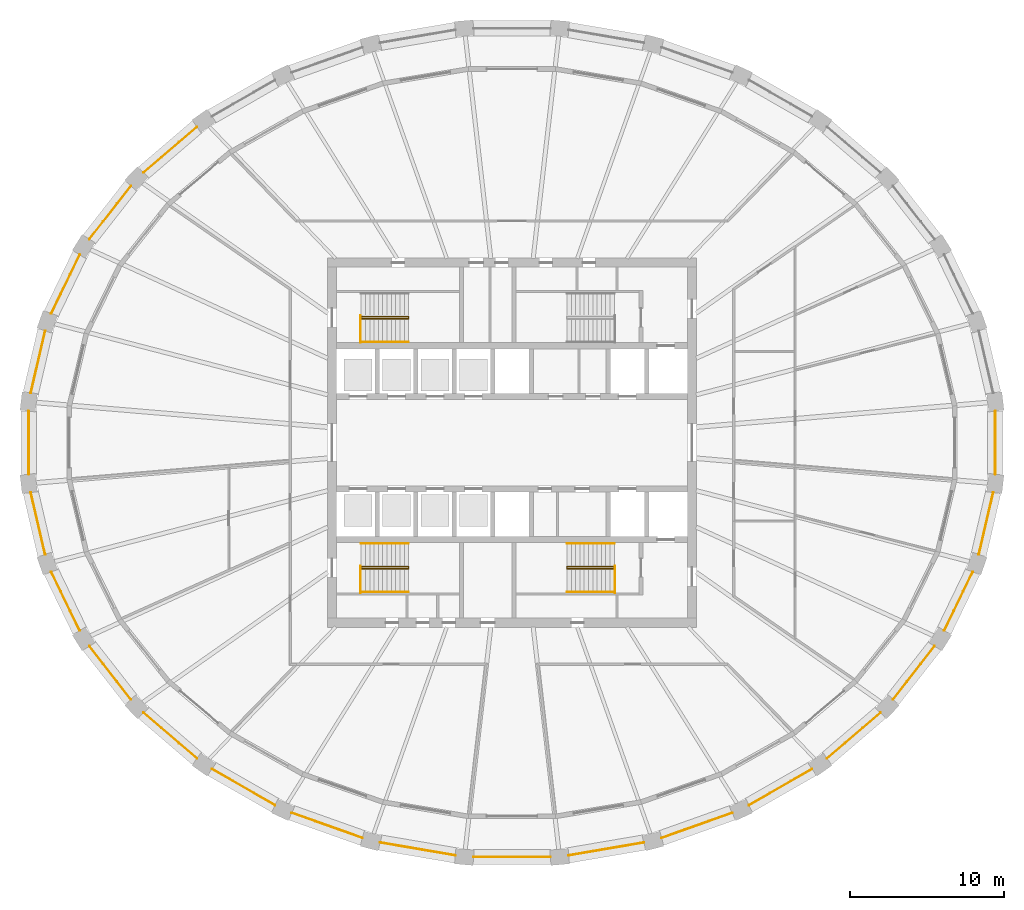
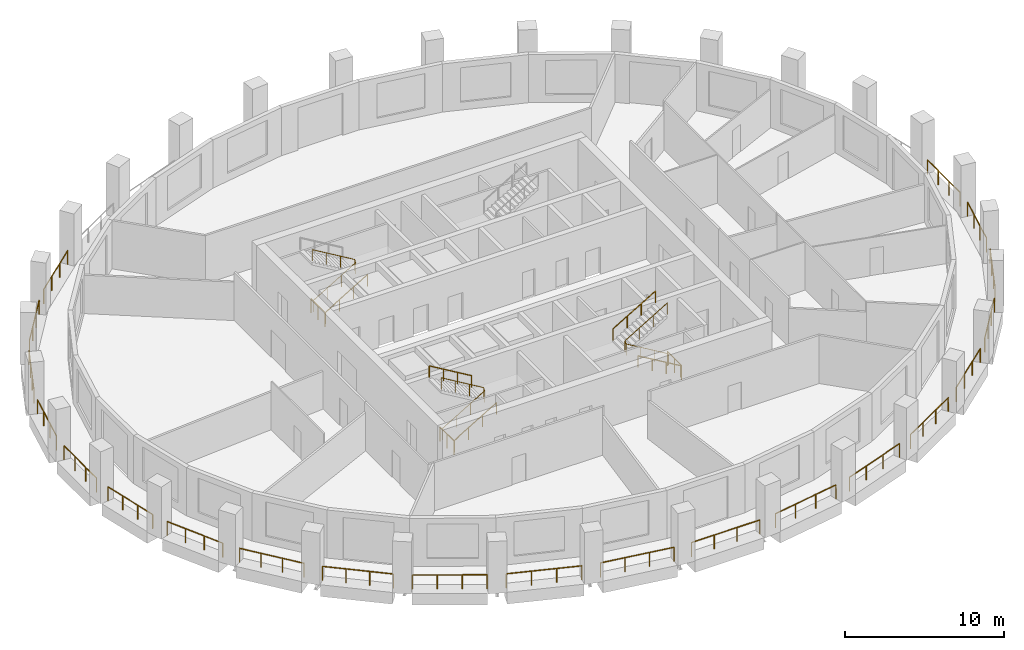
# One storey, part 9 of 11: 32 railings.
"""IFC4 building model written with IfcOpenShell, lengths in metres."""

from ifc_helpers import new_model, si_unit, direction, frame, origin, origin_2d, place, context, subcontext, project, spatial, circle, extrude, material, type_object, element, save


model = new_model("IFC4")

# Units and contexts
model_context = context("Model", 3, precision=1e-05, world=origin(), true_north=direction((0.0, 1.0)))
body_context = subcontext(model_context, "Body", "Model", "MODEL_VIEW")
ifc_project = project(units=[si_unit("LENGTHUNIT", "METRE"), si_unit("AREAUNIT", "SQUARE_METRE"), si_unit("VOLUMEUNIT", "CUBIC_METRE"), si_unit("PLANEANGLEUNIT", "RADIAN"), si_unit("MASSUNIT", "GRAM", prefix="KILO")], contexts=[model_context])

# Site, building, storey
site_placement = place(None, origin())
site = spatial("IfcSite", under=ifc_project, at=site_placement, CompositionType="ELEMENT")
building_placement = place(site_placement, origin())
building = spatial("IfcBuilding", under=site, at=building_placement, Name="Halqa Exchange Tower", CompositionType="ELEMENT")
storey_placement = place(building_placement, frame((0.0, 0.0, 226.89990234375)))
storey = spatial("IfcBuildingStorey", under=building, at=storey_placement, Name="L52", CompositionType="ELEMENT", Elevation=226.89990234375)

# Railings
ifc_material = material(Name="Stainless steel", Category="steel")
railing_type_1 = type_object("IfcRailingType", Name="Guard 1100 stainless steel", PredefinedType="GUARDRAIL", material=ifc_material)
railing_1_placement = place(storey_placement, frame((-20.472412109375, 20.515625, 0.0)))
element("IfcRailing", 1, at=railing_1_placement, inside=storey, type_object=railing_type_1, Name="Loggia guard 12", PredefinedType="GUARDRAIL", context=body_context, shape_type="SweptSolid", body=[
    extrude(circle(Radius=0.02392578125, at=origin_2d()), frame((0.0, 0.0, 1.076171875), z_axis=(-0.759230149262, -0.65082223414, 0.0), x_axis=(0.65082223414, -0.759230149262, 0.0)), (0.0, 0.0, 1.0), 4.560302734375),
    extrude(circle(Radius=0.02099609375, at=origin_2d()), origin(), (0.0, 0.0, 1.0), 1.052001953125),
    extrude(circle(Radius=0.02099609375, at=origin_2d()), frame((-1.154052734375, -0.9892578125, 0.0)), (0.0, 0.0, 1.0), 1.052001953125),
    extrude(circle(Radius=0.02099609375, at=origin_2d()), frame((-2.308349609375, -1.978759765625, 0.0)), (0.0, 0.0, 1.0), 1.052001953125),
    extrude(circle(Radius=0.02099609375, at=origin_2d()), frame((-3.46240234375, -2.968017578125, 0.0)), (0.0, 0.0, 1.0), 1.052001953125),
])
railing_2_placement = place(storey_placement, frame((-24.759521484375, 16.68408203125, 0.0)))
element("IfcRailing", 2, at=railing_2_placement, inside=storey, type_object=railing_type_1, Name="Loggia guard 13", PredefinedType="GUARDRAIL", context=body_context, shape_type="SweptSolid", body=[
    extrude(circle(Radius=0.02392578125, at=origin_2d()), frame((0.0, 0.0, 1.076171875), z_axis=(-0.614775863942, -0.788701868334, 0.0), x_axis=(0.788701868334, -0.614775863942, 0.0)), (0.0, 0.0, 1.0), 4.389404296875),
    extrude(circle(Radius=0.02099609375, at=origin_2d()), origin(), (0.0, 0.0, 1.0), 1.052001953125),
    extrude(circle(Radius=0.02099609375, at=origin_2d()), frame((-0.8994140625, -1.154052734375, 0.0)), (0.0, 0.0, 1.0), 1.052001953125),
    extrude(circle(Radius=0.02099609375, at=origin_2d()), frame((-1.799072265625, -2.307861328125, 0.0)), (0.0, 0.0, 1.0), 1.052001953125),
    extrude(circle(Radius=0.02099609375, at=origin_2d()), frame((-2.698486328125, -3.4619140625, 0.0)), (0.0, 0.0, 1.0), 1.052001953125),
])
railing_3_placement = place(storey_placement, frame((-28.087890625, 12.208740234375, 0.0)))
element("IfcRailing", 3, at=railing_3_placement, inside=storey, type_object=railing_type_1, Name="Loggia guard 14", PredefinedType="GUARDRAIL", context=body_context, shape_type="SweptSolid", body=[
    extrude(circle(Radius=0.02392578125, at=origin_2d()), frame((0.0, 0.0, 1.076171875), z_axis=(-0.435127430079, -0.900368879734, 0.0), x_axis=(0.900368879734, -0.435127430079, 0.0)), (0.0, 0.0, 1.0), 4.239990234375),
    extrude(circle(Radius=0.02099609375, at=origin_2d()), origin(), (0.0, 0.0, 1.0), 1.052001953125),
    extrude(circle(Radius=0.02099609375, at=origin_2d()), frame((-0.614990234375, -1.2724609375, 0.0)), (0.0, 0.0, 1.0), 1.052001953125),
    extrude(circle(Radius=0.02099609375, at=origin_2d()), frame((-1.22998046875, -2.545166015625, 0.0)), (0.0, 0.0, 1.0), 1.052001953125),
    extrude(circle(Radius=0.02099609375, at=origin_2d()), frame((-1.844970703125, -3.817626953125, 0.0)), (0.0, 0.0, 1.0), 1.052001953125),
])
railing_4_placement = place(storey_placement, frame((-30.32958984375, 7.266357421875, 0.0)))
element("IfcRailing", 4, at=railing_4_placement, inside=storey, type_object=railing_type_1, Name="Loggia guard 15", PredefinedType="GUARDRAIL", context=body_context, shape_type="SweptSolid", body=[
    extrude(circle(Radius=0.02392578125, at=origin_2d()), frame((0.0, 0.0, 1.076171875), z_axis=(-0.226078724413, -0.974109034127, 0.0), x_axis=(0.974109034127, -0.226078724413, 0.0)), (0.0, 0.0, 1.0), 4.13818359375),
    extrude(circle(Radius=0.02099609375, at=origin_2d()), origin(), (0.0, 0.0, 1.0), 1.052001953125),
    extrude(circle(Radius=0.02099609375, at=origin_2d()), frame((-0.311767578125, -1.34375, 0.0)), (0.0, 0.0, 1.0), 1.052001953125),
    extrude(circle(Radius=0.02099609375, at=origin_2d()), frame((-0.623779296875, -2.687255859375, 0.0)), (0.0, 0.0, 1.0), 1.052001953125),
    extrude(circle(Radius=0.02099609375, at=origin_2d()), frame((-0.935546875, -4.031005859375, 0.0)), (0.0, 0.0, 1.0), 1.052001953125),
])
railing_5_placement = place(storey_placement, frame((-31.400634765625, 2.05078125, 0.0)))
element("IfcRailing", 5, at=railing_5_placement, inside=storey, type_object=railing_type_1, Name="Loggia guard 16", PredefinedType="GUARDRAIL", context=body_context, shape_type="SweptSolid", body=[
    extrude(circle(Radius=0.02392578125, at=origin_2d()), frame((0.0, 0.0, 1.076171875), z_axis=(0.0, -1.0, 0.0), x_axis=(1.0, 0.0, 0.0)), (0.0, 0.0, 1.0), 4.1015625),
    extrude(circle(Radius=0.02099609375, at=origin_2d()), origin(), (0.0, 0.0, 1.0), 1.052001953125),
    extrude(circle(Radius=0.02099609375, at=origin_2d()), frame((0.0, -1.3671875, 0.0)), (0.0, 0.0, 1.0), 1.052001953125),
    extrude(circle(Radius=0.02099609375, at=origin_2d()), frame((0.0, -2.734375, 0.0)), (0.0, 0.0, 1.0), 1.052001953125),
    extrude(circle(Radius=0.02099609375, at=origin_2d()), frame((0.0, -4.1015625, 0.0)), (0.0, 0.0, 1.0), 1.052001953125),
])
railing_6_placement = place(storey_placement, frame((-31.26513671875, -3.2353515625, 0.0)))
element("IfcRailing", 6, at=railing_6_placement, inside=storey, type_object=railing_type_1, Name="Loggia guard 17", PredefinedType="GUARDRAIL", context=body_context, shape_type="SweptSolid", body=[
    extrude(circle(Radius=0.02392578125, at=origin_2d()), frame((0.0, 0.0, 1.076171875), z_axis=(0.226078724413, -0.974109034127, 0.0), x_axis=(0.974109034127, 0.226078724413, 0.0)), (0.0, 0.0, 1.0), 4.13818359375),
    extrude(circle(Radius=0.02099609375, at=origin_2d()), origin(), (0.0, 0.0, 1.0), 1.052001953125),
    extrude(circle(Radius=0.02099609375, at=origin_2d()), frame((0.311767578125, -1.34375, 0.0)), (0.0, 0.0, 1.0), 1.052001953125),
    extrude(circle(Radius=0.02099609375, at=origin_2d()), frame((0.623779296875, -2.687255859375, 0.0)), (0.0, 0.0, 1.0), 1.052001953125),
    extrude(circle(Radius=0.02099609375, at=origin_2d()), frame((0.935546875, -4.031005859375, 0.0)), (0.0, 0.0, 1.0), 1.052001953125),
])
railing_7_placement = place(storey_placement, frame((-29.932861328125, -8.39111328125, 0.0)))
element("IfcRailing", 7, at=railing_7_placement, inside=storey, type_object=railing_type_1, Name="Loggia guard 18", PredefinedType="GUARDRAIL", context=body_context, shape_type="SweptSolid", body=[
    extrude(circle(Radius=0.02392578125, at=origin_2d()), frame((0.0, 0.0, 1.076171875), z_axis=(0.435127430079, -0.900368879734, 0.0), x_axis=(0.900368879734, 0.435127430079, 0.0)), (0.0, 0.0, 1.0), 4.239990234375),
    extrude(circle(Radius=0.02099609375, at=origin_2d()), origin(), (0.0, 0.0, 1.0), 1.052001953125),
    extrude(circle(Radius=0.02099609375, at=origin_2d()), frame((0.614990234375, -1.2724609375, 0.0)), (0.0, 0.0, 1.0), 1.052001953125),
    extrude(circle(Radius=0.02099609375, at=origin_2d()), frame((1.22998046875, -2.545166015625, 0.0)), (0.0, 0.0, 1.0), 1.052001953125),
    extrude(circle(Radius=0.02099609375, at=origin_2d()), frame((1.844970703125, -3.817626953125, 0.0)), (0.0, 0.0, 1.0), 1.052001953125),
])
railing_8_placement = place(storey_placement, frame((-27.4580078125, -13.22216796875, 0.0)))
element("IfcRailing", 8, at=railing_8_placement, inside=storey, type_object=railing_type_1, Name="Loggia guard 19", PredefinedType="GUARDRAIL", context=body_context, shape_type="SweptSolid", body=[
    extrude(circle(Radius=0.02392578125, at=origin_2d()), frame((0.0, 0.0, 1.076171875), z_axis=(0.614775863942, -0.788701868334, 0.0), x_axis=(0.788701868334, 0.614775863942, 0.0)), (0.0, 0.0, 1.0), 4.389404296875),
    extrude(circle(Radius=0.02099609375, at=origin_2d()), origin(), (0.0, 0.0, 1.0), 1.052001953125),
    extrude(circle(Radius=0.02099609375, at=origin_2d()), frame((0.8994140625, -1.154052734375, 0.0)), (0.0, 0.0, 1.0), 1.052001953125),
    extrude(circle(Radius=0.02099609375, at=origin_2d()), frame((1.799072265625, -2.307861328125, 0.0)), (0.0, 0.0, 1.0), 1.052001953125),
    extrude(circle(Radius=0.02099609375, at=origin_2d()), frame((2.698486328125, -3.4619140625, 0.0)), (0.0, 0.0, 1.0), 1.052001953125),
])
railing_9_placement = place(storey_placement, frame((-23.934814453125, -17.547607421875, 0.0)))
element("IfcRailing", 9, at=railing_9_placement, inside=storey, type_object=railing_type_1, Name="Loggia guard 20", PredefinedType="GUARDRAIL", context=body_context, shape_type="SweptSolid", body=[
    extrude(circle(Radius=0.02392578125, at=origin_2d()), frame((0.0, 0.0, 1.076171875), z_axis=(0.759230149262, -0.65082223414, 0.0), x_axis=(0.65082223414, 0.759230149262, 0.0)), (0.0, 0.0, 1.0), 4.560302734375),
    extrude(circle(Radius=0.02099609375, at=origin_2d()), origin(), (0.0, 0.0, 1.0), 1.052001953125),
    extrude(circle(Radius=0.02099609375, at=origin_2d()), frame((1.154052734375, -0.9892578125, 0.0)), (0.0, 0.0, 1.0), 1.052001953125),
    extrude(circle(Radius=0.02099609375, at=origin_2d()), frame((2.308349609375, -1.978759765625, 0.0)), (0.0, 0.0, 1.0), 1.052001953125),
    extrude(circle(Radius=0.02099609375, at=origin_2d()), frame((3.46240234375, -2.968017578125, 0.0)), (0.0, 0.0, 1.0), 1.052001953125),
])
railing_10_placement = place(storey_placement, frame((-19.49609375, -21.204345703125, 0.0)))
element("IfcRailing", 10, at=railing_10_placement, inside=storey, type_object=railing_type_1, Name="Loggia guard 21", PredefinedType="GUARDRAIL", context=body_context, shape_type="SweptSolid", body=[
    extrude(circle(Radius=0.02392578125, at=origin_2d()), frame((0.0, 0.0, 1.076171875), z_axis=(0.867753217725, -0.496995325057, 0.0), x_axis=(0.496995325057, 0.867753217725, 0.0)), (0.0, 0.0, 1.0), 4.7265625),
    extrude(circle(Radius=0.02099609375, at=origin_2d()), origin(), (0.0, 0.0, 1.0), 1.052001953125),
    extrude(circle(Radius=0.02099609375, at=origin_2d()), frame((1.3671875, -0.782958984375, 0.0)), (0.0, 0.0, 1.0), 1.052001953125),
    extrude(circle(Radius=0.02099609375, at=origin_2d()), frame((2.734375, -1.566162109375, 0.0)), (0.0, 0.0, 1.0), 1.052001953125),
    extrude(circle(Radius=0.02099609375, at=origin_2d()), frame((4.1015625, -2.34912109375, 0.0)), (0.0, 0.0, 1.0), 1.052001953125),
])
railing_11_placement = place(storey_placement, frame((-14.308349609375, -24.05224609375, 0.0)))
element("IfcRailing", 11, at=railing_11_placement, inside=storey, type_object=railing_type_1, Name="Loggia guard 22", PredefinedType="GUARDRAIL", context=body_context, shape_type="SweptSolid", body=[
    extrude(circle(Radius=0.02392578125, at=origin_2d()), frame((0.0, 0.0, 1.076171875), z_axis=(0.94236598603, -0.334583843562, 0.0), x_axis=(0.334583843562, 0.94236598603, 0.0)), (0.0, 0.0, 1.0), 4.864013671875),
    extrude(circle(Radius=0.02099609375, at=origin_2d()), origin(), (0.0, 0.0, 1.0), 1.052001953125),
    extrude(circle(Radius=0.02099609375, at=origin_2d()), frame((1.52783203125, -0.54248046875, 0.0)), (0.0, 0.0, 1.0), 1.052001953125),
    extrude(circle(Radius=0.02099609375, at=origin_2d()), frame((3.055908203125, -1.0849609375, 0.0)), (0.0, 0.0, 1.0), 1.052001953125),
    extrude(circle(Radius=0.02099609375, at=origin_2d()), frame((4.583740234375, -1.62744140625, 0.0)), (0.0, 0.0, 1.0), 1.052001953125),
])
railing_12_placement = place(storey_placement, frame((-8.567626953125, -25.9814453125, 0.0)))
element("IfcRailing", 12, at=railing_12_placement, inside=storey, type_object=railing_type_1, Name="Loggia guard 23", PredefinedType="GUARDRAIL", context=body_context, shape_type="SweptSolid", body=[
    extrude(circle(Radius=0.02392578125, at=origin_2d()), frame((0.0, 0.0, 1.076171875), z_axis=(0.985778469169, -0.16805002149, 0.0), x_axis=(0.16805002149, 0.985778469169, 0.0)), (0.0, 0.0, 1.0), 4.9541015625),
    extrude(circle(Radius=0.02099609375, at=origin_2d()), origin(), (0.0, 0.0, 1.0), 1.052001953125),
    extrude(circle(Radius=0.02099609375, at=origin_2d()), frame((1.6279296875, -0.277587890625, 0.0)), (0.0, 0.0, 1.0), 1.052001953125),
    extrude(circle(Radius=0.02099609375, at=origin_2d()), frame((3.255615234375, -0.554931640625, 0.0)), (0.0, 0.0, 1.0), 1.052001953125),
    extrude(circle(Radius=0.02099609375, at=origin_2d()), frame((4.883544921875, -0.83251953125, 0.0)), (0.0, 0.0, 1.0), 1.052001953125),
])
railing_13_placement = place(storey_placement, frame((-2.49267578125, -26.914794921875, 0.0)))
element("IfcRailing", 13, at=railing_13_placement, inside=storey, type_object=railing_type_1, Name="Loggia guard 24", PredefinedType="GUARDRAIL", context=body_context, shape_type="SweptSolid", body=[
    extrude(circle(Radius=0.02392578125, at=origin_2d()), frame((0.0, 0.0, 1.076171875), z_axis=(1.0, 0.0, 0.0), x_axis=(0.0, 1.0, 0.0)), (0.0, 0.0, 1.0), 4.9853515625),
    extrude(circle(Radius=0.02099609375, at=origin_2d()), origin(), (0.0, 0.0, 1.0), 1.052001953125),
    extrude(circle(Radius=0.02099609375, at=origin_2d()), frame((1.661865234375, 0.0, 0.0)), (0.0, 0.0, 1.0), 1.052001953125),
    extrude(circle(Radius=0.02099609375, at=origin_2d()), frame((3.323486328125, 0.0, 0.0)), (0.0, 0.0, 1.0), 1.052001953125),
    extrude(circle(Radius=0.02099609375, at=origin_2d()), frame((4.9853515625, 0.0, 0.0)), (0.0, 0.0, 1.0), 1.052001953125),
])
railing_14_placement = place(storey_placement, frame((3.68408203125, -26.81396484375, 0.0)))
element("IfcRailing", 14, at=railing_14_placement, inside=storey, type_object=railing_type_1, Name="Loggia guard 25", PredefinedType="GUARDRAIL", context=body_context, shape_type="SweptSolid", body=[
    extrude(circle(Radius=0.02392578125, at=origin_2d()), frame((0.0, 0.0, 1.076171875), z_axis=(0.985778469169, 0.16805002149, 0.0), x_axis=(-0.16805002149, 0.985778469169, 0.0)), (0.0, 0.0, 1.0), 4.9541015625),
    extrude(circle(Radius=0.02099609375, at=origin_2d()), origin(), (0.0, 0.0, 1.0), 1.052001953125),
    extrude(circle(Radius=0.02099609375, at=origin_2d()), frame((1.6279296875, 0.277587890625, 0.0)), (0.0, 0.0, 1.0), 1.052001953125),
    extrude(circle(Radius=0.02099609375, at=origin_2d()), frame((3.255615234375, 0.554931640625, 0.0)), (0.0, 0.0, 1.0), 1.052001953125),
    extrude(circle(Radius=0.02099609375, at=origin_2d()), frame((4.883544921875, 0.83251953125, 0.0)), (0.0, 0.0, 1.0), 1.052001953125),
])
railing_15_placement = place(storey_placement, frame((9.724609375, -25.6796875, 0.0)))
element("IfcRailing", 15, at=railing_15_placement, inside=storey, type_object=railing_type_1, Name="Loggia guard 26", PredefinedType="GUARDRAIL", context=body_context, shape_type="SweptSolid", body=[
    extrude(circle(Radius=0.02392578125, at=origin_2d()), frame((0.0, 0.0, 1.076171875), z_axis=(0.94236598603, 0.334583843562, 0.0), x_axis=(-0.334583843562, 0.94236598603, 0.0)), (0.0, 0.0, 1.0), 4.864013671875),
    extrude(circle(Radius=0.02099609375, at=origin_2d()), origin(), (0.0, 0.0, 1.0), 1.052001953125),
    extrude(circle(Radius=0.02099609375, at=origin_2d()), frame((1.52783203125, 0.54248046875, 0.0)), (0.0, 0.0, 1.0), 1.052001953125),
    extrude(circle(Radius=0.02099609375, at=origin_2d()), frame((3.055908203125, 1.0849609375, 0.0)), (0.0, 0.0, 1.0), 1.052001953125),
    extrude(circle(Radius=0.02099609375, at=origin_2d()), frame((4.583740234375, 1.62744140625, 0.0)), (0.0, 0.0, 1.0), 1.052001953125),
])
railing_16_placement = place(storey_placement, frame((15.39453125, -23.553466796875, 0.0)))
element("IfcRailing", 16, at=railing_16_placement, inside=storey, type_object=railing_type_1, Name="Loggia guard 27", PredefinedType="GUARDRAIL", context=body_context, shape_type="SweptSolid", body=[
    extrude(circle(Radius=0.02392578125, at=origin_2d()), frame((0.0, 0.0, 1.076171875), z_axis=(0.867753217725, 0.496995325057, 0.0), x_axis=(-0.496995325057, 0.867753217725, 0.0)), (0.0, 0.0, 1.0), 4.7265625),
    extrude(circle(Radius=0.02099609375, at=origin_2d()), origin(), (0.0, 0.0, 1.0), 1.052001953125),
    extrude(circle(Radius=0.02099609375, at=origin_2d()), frame((1.3671875, 0.782958984375, 0.0)), (0.0, 0.0, 1.0), 1.052001953125),
    extrude(circle(Radius=0.02099609375, at=origin_2d()), frame((2.734375, 1.566162109375, 0.0)), (0.0, 0.0, 1.0), 1.052001953125),
    extrude(circle(Radius=0.02099609375, at=origin_2d()), frame((4.1015625, 2.34912109375, 0.0)), (0.0, 0.0, 1.0), 1.052001953125),
])
railing_17_placement = place(storey_placement, frame((20.472412109375, -20.515625, 0.0)))
element("IfcRailing", 17, at=railing_17_placement, inside=storey, type_object=railing_type_1, Name="Loggia guard 28", PredefinedType="GUARDRAIL", context=body_context, shape_type="SweptSolid", body=[
    extrude(circle(Radius=0.02392578125, at=origin_2d()), frame((0.0, 0.0, 1.076171875), z_axis=(0.759230149262, 0.65082223414, 0.0), x_axis=(-0.65082223414, 0.759230149262, 0.0)), (0.0, 0.0, 1.0), 4.560302734375),
    extrude(circle(Radius=0.02099609375, at=origin_2d()), origin(), (0.0, 0.0, 1.0), 1.052001953125),
    extrude(circle(Radius=0.02099609375, at=origin_2d()), frame((1.154052734375, 0.9892578125, 0.0)), (0.0, 0.0, 1.0), 1.052001953125),
    extrude(circle(Radius=0.02099609375, at=origin_2d()), frame((2.308349609375, 1.978759765625, 0.0)), (0.0, 0.0, 1.0), 1.052001953125),
    extrude(circle(Radius=0.02099609375, at=origin_2d()), frame((3.46240234375, 2.968017578125, 0.0)), (0.0, 0.0, 1.0), 1.052001953125),
])
railing_18_placement = place(storey_placement, frame((24.759521484375, -16.68408203125, 0.0)))
element("IfcRailing", 18, at=railing_18_placement, inside=storey, type_object=railing_type_1, Name="Loggia guard 29", PredefinedType="GUARDRAIL", context=body_context, shape_type="SweptSolid", body=[
    extrude(circle(Radius=0.02392578125, at=origin_2d()), frame((0.0, 0.0, 1.076171875), z_axis=(0.614775863942, 0.788701868334, 0.0), x_axis=(-0.788701868334, 0.614775863942, 0.0)), (0.0, 0.0, 1.0), 4.389404296875),
    extrude(circle(Radius=0.02099609375, at=origin_2d()), origin(), (0.0, 0.0, 1.0), 1.052001953125),
    extrude(circle(Radius=0.02099609375, at=origin_2d()), frame((0.8994140625, 1.154052734375, 0.0)), (0.0, 0.0, 1.0), 1.052001953125),
    extrude(circle(Radius=0.02099609375, at=origin_2d()), frame((1.799072265625, 2.307861328125, 0.0)), (0.0, 0.0, 1.0), 1.052001953125),
    extrude(circle(Radius=0.02099609375, at=origin_2d()), frame((2.698486328125, 3.4619140625, 0.0)), (0.0, 0.0, 1.0), 1.052001953125),
])
railing_19_placement = place(storey_placement, frame((28.087890625, -12.208740234375, 0.0)))
element("IfcRailing", 19, at=railing_19_placement, inside=storey, type_object=railing_type_1, Name="Loggia guard 30", PredefinedType="GUARDRAIL", context=body_context, shape_type="SweptSolid", body=[
    extrude(circle(Radius=0.02392578125, at=origin_2d()), frame((0.0, 0.0, 1.076171875), z_axis=(0.435127430079, 0.900368879734, 0.0), x_axis=(-0.900368879734, 0.435127430079, 0.0)), (0.0, 0.0, 1.0), 4.239990234375),
    extrude(circle(Radius=0.02099609375, at=origin_2d()), origin(), (0.0, 0.0, 1.0), 1.052001953125),
    extrude(circle(Radius=0.02099609375, at=origin_2d()), frame((0.614990234375, 1.2724609375, 0.0)), (0.0, 0.0, 1.0), 1.052001953125),
    extrude(circle(Radius=0.02099609375, at=origin_2d()), frame((1.22998046875, 2.545166015625, 0.0)), (0.0, 0.0, 1.0), 1.052001953125),
    extrude(circle(Radius=0.02099609375, at=origin_2d()), frame((1.844970703125, 3.817626953125, 0.0)), (0.0, 0.0, 1.0), 1.052001953125),
])
railing_20_placement = place(storey_placement, frame((30.32958984375, -7.266357421875, 0.0)))
element("IfcRailing", 20, at=railing_20_placement, inside=storey, type_object=railing_type_1, Name="Loggia guard 31", PredefinedType="GUARDRAIL", context=body_context, shape_type="SweptSolid", body=[
    extrude(circle(Radius=0.02392578125, at=origin_2d()), frame((0.0, 0.0, 1.076171875), z_axis=(0.226078724413, 0.974109034127, 0.0), x_axis=(-0.974109034127, 0.226078724413, 0.0)), (0.0, 0.0, 1.0), 4.13818359375),
    extrude(circle(Radius=0.02099609375, at=origin_2d()), origin(), (0.0, 0.0, 1.0), 1.052001953125),
    extrude(circle(Radius=0.02099609375, at=origin_2d()), frame((0.311767578125, 1.34375, 0.0)), (0.0, 0.0, 1.0), 1.052001953125),
    extrude(circle(Radius=0.02099609375, at=origin_2d()), frame((0.623779296875, 2.687255859375, 0.0)), (0.0, 0.0, 1.0), 1.052001953125),
    extrude(circle(Radius=0.02099609375, at=origin_2d()), frame((0.935546875, 4.031005859375, 0.0)), (0.0, 0.0, 1.0), 1.052001953125),
])
railing_21_placement = place(storey_placement, frame((31.400634765625, -2.05078125, 0.0)))
element("IfcRailing", 21, at=railing_21_placement, inside=storey, type_object=railing_type_1, Name="Loggia guard 32", PredefinedType="GUARDRAIL", context=body_context, shape_type="SweptSolid", body=[
    extrude(circle(Radius=0.02392578125, at=origin_2d()), frame((0.0, 0.0, 1.076171875), z_axis=(0.0, 1.0, 0.0), x_axis=(-1.0, 0.0, 0.0)), (0.0, 0.0, 1.0), 4.1015625),
    extrude(circle(Radius=0.02099609375, at=origin_2d()), origin(), (0.0, 0.0, 1.0), 1.052001953125),
    extrude(circle(Radius=0.02099609375, at=origin_2d()), frame((0.0, 1.3671875, 0.0)), (0.0, 0.0, 1.0), 1.052001953125),
    extrude(circle(Radius=0.02099609375, at=origin_2d()), frame((0.0, 2.734375, 0.0)), (0.0, 0.0, 1.0), 1.052001953125),
    extrude(circle(Radius=0.02099609375, at=origin_2d()), frame((0.0, 4.1015625, 0.0)), (0.0, 0.0, 1.0), 1.052001953125),
])
railing_type_2 = type_object("IfcRailingType", Name="Stair handrail 900", PredefinedType="HANDRAIL", material=ifc_material)
railing_22_placement = place(storey_placement, frame((-9.800048828125, 8.06005859375, 0.166748046875)))
element("IfcRailing", 22, at=railing_22_placement, inside=storey, type_object=railing_type_2, Name="Handrail ST1.1", PredefinedType="HANDRAIL", context=body_context, shape_type="SweptSolid", body=[
    extrude(circle(Radius=0.02392578125, at=origin_2d()), frame((0.0, 0.0, 0.8759765625), z_axis=(0.859308565015, 0.0, 0.511457515432), x_axis=(0.0, 1.0, 0.0)), (0.0, 0.0, 1.0), 3.58447265625),
    extrude(circle(Radius=0.02392578125, at=origin_2d()), frame((3.080078125, 0.0, 2.708984375), z_axis=(0.0, 0.614500226555, 0.788916644243), x_axis=(-1.0, 0.0, 0.0)), (0.0, 0.0, 1.0), 0.21142578125),
    extrude(circle(Radius=0.02392578125, at=origin_2d()), frame((3.080078125, 0.1298828125, 2.8759765625), z_axis=(-0.859308565015, 0.0, 0.511457515432), x_axis=(0.0, -1.0, 0.0)), (0.0, 0.0, 1.0), 3.58447265625),
    extrude(circle(Radius=0.02099609375, at=origin_2d()), origin(), (0.0, 0.0, 1.0), 0.851806640625),
    extrude(circle(Radius=0.02099609375, at=origin_2d()), frame((1.026611328125, 0.0, 0.611083984375)), (0.0, 0.0, 1.0), 0.851806640625),
    extrude(circle(Radius=0.02099609375, at=origin_2d()), frame((2.053466796875, 0.0, 1.22216796875)), (0.0, 0.0, 1.0), 0.851806640625),
    extrude(circle(Radius=0.02099609375, at=origin_2d()), frame((3.080078125, 0.0, 1.833251953125)), (0.0, 0.0, 1.0), 0.851806640625),
    extrude(circle(Radius=0.02099609375, at=origin_2d()), frame((3.080078125, 0.1298828125, 2.0)), (0.0, 0.0, 1.0), 0.851806640625),
    extrude(circle(Radius=0.02099609375, at=origin_2d()), frame((2.053466796875, 0.1298828125, 2.611083984375)), (0.0, 0.0, 1.0), 0.851806640625),
    extrude(circle(Radius=0.02099609375, at=origin_2d()), frame((1.026611328125, 0.1298828125, 3.22216796875)), (0.0, 0.0, 1.0), 0.851806640625),
    extrude(circle(Radius=0.02099609375, at=origin_2d()), frame((0.0, 0.1298828125, 3.833251953125)), (0.0, 0.0, 1.0), 0.851806640625),
])
railing_23_placement = place(storey_placement, frame((-9.800048828125, 6.550048828125, 0.166748046875)))
element("IfcRailing", 23, at=railing_23_placement, inside=storey, type_object=railing_type_2, Name="Handrail ST1.2", PredefinedType="HANDRAIL", context=body_context, shape_type="SweptSolid", body=[
    extrude(circle(Radius=0.02392578125, at=origin_2d()), frame((0.0, 0.0, 0.8759765625), z_axis=(0.859308565015, 0.0, 0.511457515432), x_axis=(0.0, 1.0, 0.0)), (0.0, 0.0, 1.0), 3.58447265625),
    extrude(circle(Radius=0.02099609375, at=origin_2d()), origin(), (0.0, 0.0, 1.0), 0.851806640625),
    extrude(circle(Radius=0.02099609375, at=origin_2d()), frame((1.026611328125, 0.0, 0.611083984375)), (0.0, 0.0, 1.0), 0.851806640625),
    extrude(circle(Radius=0.02099609375, at=origin_2d()), frame((2.053466796875, 0.0, 1.22216796875)), (0.0, 0.0, 1.0), 0.851806640625),
    extrude(circle(Radius=0.02099609375, at=origin_2d()), frame((3.080078125, 0.0, 1.833251953125)), (0.0, 0.0, 1.0), 0.851806640625),
])
railing_24_placement = place(storey_placement, frame((-9.800048828125, -8.18994140625, 0.166748046875)))
element("IfcRailing", 24, at=railing_24_placement, inside=storey, type_object=railing_type_2, Name="Handrail ST3.1", PredefinedType="HANDRAIL", context=body_context, shape_type="SweptSolid", body=[
    extrude(circle(Radius=0.02392578125, at=origin_2d()), frame((0.0, 0.0, 0.8759765625), z_axis=(0.859308565015, 0.0, 0.511457515432), x_axis=(0.0, 1.0, 0.0)), (0.0, 0.0, 1.0), 3.58447265625),
    extrude(circle(Radius=0.02392578125, at=origin_2d()), frame((3.080078125, 0.0, 2.708984375), z_axis=(0.0, 0.614500226555, 0.788916644243), x_axis=(-1.0, 0.0, 0.0)), (0.0, 0.0, 1.0), 0.21142578125),
    extrude(circle(Radius=0.02392578125, at=origin_2d()), frame((3.080078125, 0.1298828125, 2.8759765625), z_axis=(-0.859308565015, 0.0, 0.511457515432), x_axis=(0.0, -1.0, 0.0)), (0.0, 0.0, 1.0), 3.58447265625),
    extrude(circle(Radius=0.02099609375, at=origin_2d()), origin(), (0.0, 0.0, 1.0), 0.851806640625),
    extrude(circle(Radius=0.02099609375, at=origin_2d()), frame((1.026611328125, 0.0, 0.611083984375)), (0.0, 0.0, 1.0), 0.851806640625),
    extrude(circle(Radius=0.02099609375, at=origin_2d()), frame((2.053466796875, 0.0, 1.22216796875)), (0.0, 0.0, 1.0), 0.851806640625),
    extrude(circle(Radius=0.02099609375, at=origin_2d()), frame((3.080078125, 0.0, 1.833251953125)), (0.0, 0.0, 1.0), 0.851806640625),
    extrude(circle(Radius=0.02099609375, at=origin_2d()), frame((3.080078125, 0.1298828125, 2.0)), (0.0, 0.0, 1.0), 0.851806640625),
    extrude(circle(Radius=0.02099609375, at=origin_2d()), frame((2.053466796875, 0.1298828125, 2.611083984375)), (0.0, 0.0, 1.0), 0.851806640625),
    extrude(circle(Radius=0.02099609375, at=origin_2d()), frame((1.026611328125, 0.1298828125, 3.22216796875)), (0.0, 0.0, 1.0), 0.851806640625),
    extrude(circle(Radius=0.02099609375, at=origin_2d()), frame((0.0, 0.1298828125, 3.833251953125)), (0.0, 0.0, 1.0), 0.851806640625),
])
railing_25_placement = place(storey_placement, frame((-9.800048828125, -9.699951171875, 0.166748046875)))
element("IfcRailing", 25, at=railing_25_placement, inside=storey, type_object=railing_type_2, Name="Handrail ST3.2", PredefinedType="HANDRAIL", context=body_context, shape_type="SweptSolid", body=[
    extrude(circle(Radius=0.02392578125, at=origin_2d()), frame((0.0, 0.0, 0.8759765625), z_axis=(0.859308565015, 0.0, 0.511457515432), x_axis=(0.0, 1.0, 0.0)), (0.0, 0.0, 1.0), 3.58447265625),
    extrude(circle(Radius=0.02099609375, at=origin_2d()), origin(), (0.0, 0.0, 1.0), 0.851806640625),
    extrude(circle(Radius=0.02099609375, at=origin_2d()), frame((1.026611328125, 0.0, 0.611083984375)), (0.0, 0.0, 1.0), 0.851806640625),
    extrude(circle(Radius=0.02099609375, at=origin_2d()), frame((2.053466796875, 0.0, 1.22216796875)), (0.0, 0.0, 1.0), 0.851806640625),
    extrude(circle(Radius=0.02099609375, at=origin_2d()), frame((3.080078125, 0.0, 1.833251953125)), (0.0, 0.0, 1.0), 0.851806640625),
])
railing_26_placement = place(storey_placement, frame((-6.719970703125, -6.550048828125, 2.166748046875)))
element("IfcRailing", 26, at=railing_26_placement, inside=storey, type_object=railing_type_2, Name="Handrail ST3.3", PredefinedType="HANDRAIL", context=body_context, shape_type="SweptSolid", body=[
    extrude(circle(Radius=0.02392578125, at=origin_2d()), frame((0.0, 0.0, 0.8759765625), z_axis=(-0.859308565015, 0.0, 0.511457515432), x_axis=(0.0, -1.0, 0.0)), (0.0, 0.0, 1.0), 3.58447265625),
    extrude(circle(Radius=0.02099609375, at=origin_2d()), origin(), (0.0, 0.0, 1.0), 0.851806640625),
    extrude(circle(Radius=0.02099609375, at=origin_2d()), frame((-1.026611328125, 0.0, 0.611083984375)), (0.0, 0.0, 1.0), 0.851806640625),
    extrude(circle(Radius=0.02099609375, at=origin_2d()), frame((-2.053466796875, 0.0, 1.22216796875)), (0.0, 0.0, 1.0), 0.851806640625),
    extrude(circle(Radius=0.02099609375, at=origin_2d()), frame((-3.080078125, 0.0, 1.833251953125)), (0.0, 0.0, 1.0), 0.851806640625),
])
railing_27_placement = place(storey_placement, frame((6.64990234375, -8.18994140625, 0.166748046875)))
element("IfcRailing", 27, at=railing_27_placement, inside=storey, type_object=railing_type_2, Name="Handrail ST4.1", PredefinedType="HANDRAIL", context=body_context, shape_type="SweptSolid", body=[
    extrude(circle(Radius=0.02392578125, at=origin_2d()), frame((0.0, 0.0, 0.8759765625), z_axis=(-0.859290745958, 0.0, 0.51148745235), x_axis=(0.0, -1.0, 0.0)), (0.0, 0.0, 1.0), 3.584228515625),
    extrude(circle(Radius=0.02392578125, at=origin_2d()), frame((-3.079833984375, 0.0, 2.708984375), z_axis=(0.0, 0.614500226555, 0.788916644243), x_axis=(-1.0, 0.0, 0.0)), (0.0, 0.0, 1.0), 0.21142578125),
    extrude(circle(Radius=0.02392578125, at=origin_2d()), frame((-3.079833984375, 0.1298828125, 2.8759765625), z_axis=(0.859290745958, 0.0, 0.51148745235), x_axis=(0.0, 1.0, 0.0)), (0.0, 0.0, 1.0), 3.584228515625),
    extrude(circle(Radius=0.02099609375, at=origin_2d()), origin(), (0.0, 0.0, 1.0), 0.851806640625),
    extrude(circle(Radius=0.02099609375, at=origin_2d()), frame((-1.026611328125, 0.0, 0.611083984375)), (0.0, 0.0, 1.0), 0.851806640625),
    extrude(circle(Radius=0.02099609375, at=origin_2d()), frame((-2.05322265625, 0.0, 1.22216796875)), (0.0, 0.0, 1.0), 0.851806640625),
    extrude(circle(Radius=0.02099609375, at=origin_2d()), frame((-3.079833984375, 0.0, 1.833251953125)), (0.0, 0.0, 1.0), 0.851806640625),
    extrude(circle(Radius=0.02099609375, at=origin_2d()), frame((-3.079833984375, 0.1298828125, 2.0)), (0.0, 0.0, 1.0), 0.851806640625),
    extrude(circle(Radius=0.02099609375, at=origin_2d()), frame((-2.05322265625, 0.1298828125, 2.611083984375)), (0.0, 0.0, 1.0), 0.851806640625),
    extrude(circle(Radius=0.02099609375, at=origin_2d()), frame((-1.026611328125, 0.1298828125, 3.22216796875)), (0.0, 0.0, 1.0), 0.851806640625),
    extrude(circle(Radius=0.02099609375, at=origin_2d()), frame((0.0, 0.1298828125, 3.833251953125)), (0.0, 0.0, 1.0), 0.851806640625),
])
railing_28_placement = place(storey_placement, frame((6.64990234375, -9.699951171875, 0.166748046875)))
element("IfcRailing", 28, at=railing_28_placement, inside=storey, type_object=railing_type_2, Name="Handrail ST4.2", PredefinedType="HANDRAIL", context=body_context, shape_type="SweptSolid", body=[
    extrude(circle(Radius=0.02392578125, at=origin_2d()), frame((0.0, 0.0, 0.8759765625), z_axis=(-0.859290745958, 0.0, 0.51148745235), x_axis=(0.0, -1.0, 0.0)), (0.0, 0.0, 1.0), 3.584228515625),
    extrude(circle(Radius=0.02099609375, at=origin_2d()), origin(), (0.0, 0.0, 1.0), 0.851806640625),
    extrude(circle(Radius=0.02099609375, at=origin_2d()), frame((-1.026611328125, 0.0, 0.611083984375)), (0.0, 0.0, 1.0), 0.851806640625),
    extrude(circle(Radius=0.02099609375, at=origin_2d()), frame((-2.05322265625, 0.0, 1.22216796875)), (0.0, 0.0, 1.0), 0.851806640625),
    extrude(circle(Radius=0.02099609375, at=origin_2d()), frame((-3.079833984375, 0.0, 1.833251953125)), (0.0, 0.0, 1.0), 0.851806640625),
])
railing_29_placement = place(storey_placement, frame((3.570068359375, -6.550048828125, 2.166748046875)))
element("IfcRailing", 29, at=railing_29_placement, inside=storey, type_object=railing_type_2, Name="Handrail ST4.3", PredefinedType="HANDRAIL", context=body_context, shape_type="SweptSolid", body=[
    extrude(circle(Radius=0.02392578125, at=origin_2d()), frame((0.0, 0.0, 0.8759765625), z_axis=(0.859290745958, 0.0, 0.51148745235), x_axis=(0.0, 1.0, 0.0)), (0.0, 0.0, 1.0), 3.584228515625),
    extrude(circle(Radius=0.02099609375, at=origin_2d()), origin(), (0.0, 0.0, 1.0), 0.851806640625),
    extrude(circle(Radius=0.02099609375, at=origin_2d()), frame((1.026611328125, 0.0, 0.611083984375)), (0.0, 0.0, 1.0), 0.851806640625),
    extrude(circle(Radius=0.02099609375, at=origin_2d()), frame((2.05322265625, 0.0, 1.22216796875)), (0.0, 0.0, 1.0), 0.851806640625),
    extrude(circle(Radius=0.02099609375, at=origin_2d()), frame((3.079833984375, 0.0, 1.833251953125)), (0.0, 0.0, 1.0), 0.851806640625),
])
railing_type_3 = type_object("IfcRailingType", Name="Stair well guard 1100", PredefinedType="GUARDRAIL", material=ifc_material)
for number, where, name in (
    (30, (-9.85009765625, 6.5, 0.0), "Guard ST1 well"),
    (31, (-9.85009765625, -9.75, 0.0), "Guard ST3 well"),
    (32, (6.699951171875, -9.75, 0.0), "Guard ST4 well"),
):
    element("IfcRailing", number, at=place(storey_placement, frame(where)), inside=storey, type_object=railing_type_3, Name=name, PredefinedType="GUARDRAIL", context=body_context, shape_type="SweptSolid", body=[
        extrude(circle(Radius=0.02392578125, at=origin_2d()), frame((0.0, 0.0, 1.076171875), z_axis=(0.0, 1.0, 0.0), x_axis=(-1.0, 0.0, 0.0)), (0.0, 0.0, 1.0), 1.75),
        extrude(circle(Radius=0.02099609375, at=origin_2d()), origin(), (0.0, 0.0, 1.0), 1.052001953125),
        extrude(circle(Radius=0.02099609375, at=origin_2d()), frame((0.0, 0.875, 0.0)), (0.0, 0.0, 1.0), 1.052001953125),
        extrude(circle(Radius=0.02099609375, at=origin_2d()), frame((0.0, 1.75, 0.0)), (0.0, 0.0, 1.0), 1.052001953125),
    ])

save(model, "model.ifc")
